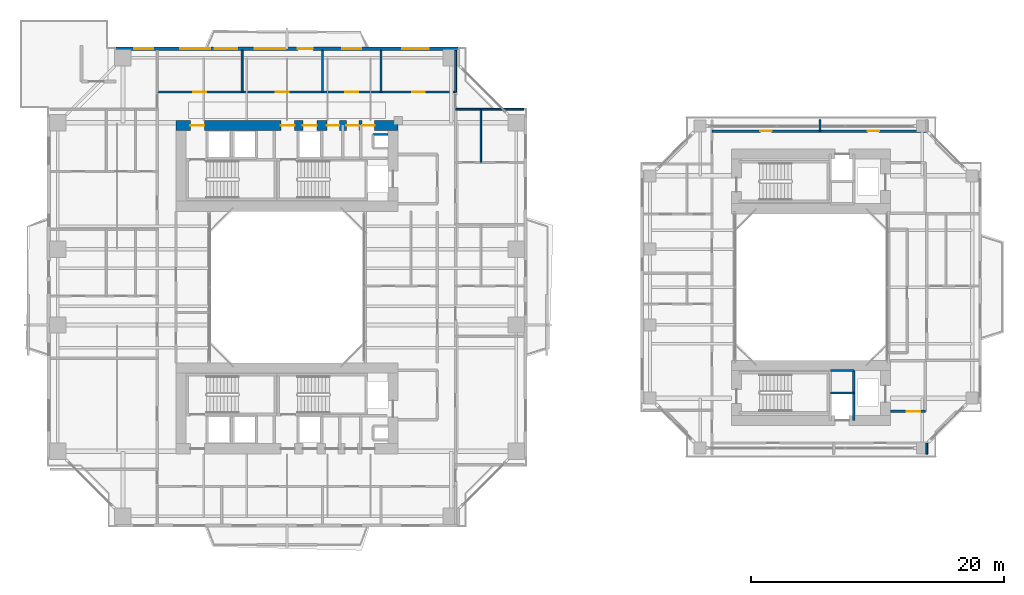
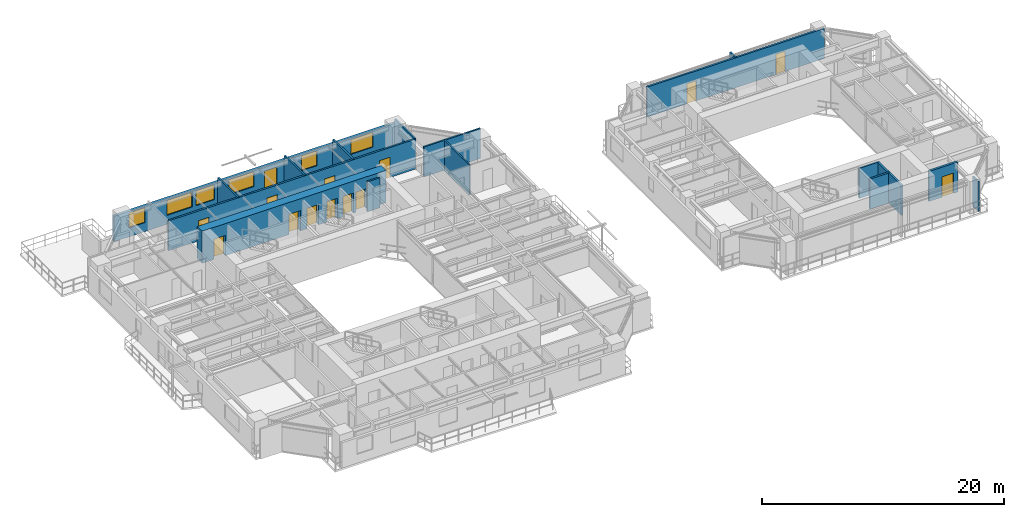
# One storey, part 17 of 24: 17 walls, 14 doors, 6 windows, 20 openings.
"""IFC4 building model written with IfcOpenShell, lengths in metres."""

from ifc_helpers import new_model, si_unit, direction, frame, frame_2d, origin, place, context, subcontext, project, spatial, rectangle, extrude, source, transform, mapped, material, layer, layer_set, type_object, element, fill, save


model = new_model("IFC4")

# Units and contexts
model_context = context("Model", 3, precision=1e-05, world=origin(), true_north=direction((0.0, 1.0)))
body_context = subcontext(model_context, "Body", "Model", "MODEL_VIEW")
ifc_project = project(units=[si_unit("LENGTHUNIT", "METRE"), si_unit("AREAUNIT", "SQUARE_METRE"), si_unit("VOLUMEUNIT", "CUBIC_METRE"), si_unit("PLANEANGLEUNIT", "RADIAN"), si_unit("MASSUNIT", "GRAM", prefix="KILO"), si_unit("THERMODYNAMICTEMPERATUREUNIT", "KELVIN"), si_unit("POWERUNIT", "WATT")], contexts=[model_context])

# Site, building, storey
site_placement = place(None, origin())
site = spatial("IfcSite", under=ifc_project, at=site_placement, CompositionType="ELEMENT")
building_placement = place(site_placement, origin())
building = spatial("IfcBuilding", under=site, at=building_placement, Name="Qiaomeng Ring Towers", CompositionType="ELEMENT")
storey_placement = place(building_placement, frame((0.0, 0.0, 42.5)))
storey = spatial("IfcBuildingStorey", under=building, at=storey_placement, Name="L11", CompositionType="ELEMENT", Elevation=42.5)

# Wall, openings, windows, door
ifc_material_1 = material(Name="Precast concrete C40", Category="concrete")
ifc_layer_1 = layer(ifc_material_1, 0.25, Name="Precast concrete C40")
ifc_layer_set_1 = layer_set([ifc_layer_1], Name="Precast concrete C40")
wall_type_1 = type_object("IfcWallType", Name="ARC-WL-EW1", PredefinedType="STANDARD", material=ifc_layer_set_1)
wall_1_placement = place(storey_placement, frame((5.449951171875, 41.875, 0.0), z_axis=(0.0, 0.0, 1.0), x_axis=(1.0, 0.0, 0.0)))
wall_1 = element("IfcWall", 1, at=wall_1_placement, inside=storey, type_object=wall_type_1, Name="L11 Tower 1 N Exterior Wall", PredefinedType="STANDARD", context=body_context, shape_type="SweptSolid", body=[
    extrude(rectangle(XDim=27.10009765625, YDim=0.25, at=frame_2d((13.550048828125, 0.0))), origin(), (0.0, 0.0, 1.0), 2.570068359375),
])
opening_1_placement = place(wall_1_placement, frame((14.39990234375, 0.0, 0.0)))
opening_1 = element("IfcOpeningElement", 2, at=opening_1_placement, cuts=wall_1, Name="Opening BD1", PredefinedType="OPENING", context=body_context, shape_type="SweptSolid", body=[
    extrude(rectangle(XDim=1.199951171875, YDim=2.10009765625, at=frame_2d((0.60009765625, 1.050048828125))), frame((0.0, 0.135009765625, 0.0), z_axis=(0.0, -1.0, 0.0), x_axis=(1.0, 0.0, 0.0)), (0.0, 0.0, 1.0), 0.27001953125),
])
opening_2_placement = place(wall_1_placement, frame((1.449951171875, 0.0, 0.89990234375)))
opening_2 = element("IfcOpeningElement", 3, at=opening_2_placement, cuts=wall_1, Name="Opening WN2", PredefinedType="OPENING", context=body_context, shape_type="SweptSolid", body=[
    extrude(rectangle(XDim=1.5, YDim=1.5, at=frame_2d((0.75, 0.75))), frame((0.0, 0.135009765625, 0.0), z_axis=(0.0, -1.0, 0.0), x_axis=(1.0, 0.0, 0.0)), (0.0, 0.0, 1.0), 0.27001953125),
])
opening_3_placement = place(wall_1_placement, frame((7.819580078125, 0.0, 0.89990234375)))
opening_3 = element("IfcOpeningElement", 4, at=opening_3_placement, cuts=wall_1, Name="Opening WN1", PredefinedType="OPENING", context=body_context, shape_type="SweptSolid", body=[
    extrude(rectangle(XDim=1.800048828125, YDim=1.5, at=frame_2d((0.89990234375, 0.75))), frame((0.0, 0.135009765625, 0.0), z_axis=(0.0, -1.0, 0.0), x_axis=(1.0, 0.0, 0.0)), (0.0, 0.0, 1.0), 0.27001953125),
])
opening_4_placement = place(wall_1_placement, frame((17.919921875, 0.0, 0.89990234375)))
opening_4 = element("IfcOpeningElement", 5, at=opening_4_placement, cuts=wall_1, Name="Opening WN2", PredefinedType="OPENING", context=body_context, shape_type="SweptSolid", body=[
    extrude(rectangle(XDim=1.5, YDim=1.5, at=frame_2d((0.75, 0.75))), frame((0.0, 0.135009765625, 0.0), z_axis=(0.0, -1.0, 0.0), x_axis=(1.0, 0.0, 0.0)), (0.0, 0.0, 1.0), 0.27001953125),
])
opening_5_placement = place(wall_1_placement, frame((22.6630859375, 0.0, 0.89990234375)))
opening_5 = element("IfcOpeningElement", 6, at=opening_5_placement, cuts=wall_1, Name="Opening WN4", PredefinedType="OPENING", context=body_context, shape_type="SweptSolid", body=[
    extrude(rectangle(XDim=2.10009765625, YDim=1.47998046875, at=frame_2d((1.050048828125, 0.739990234375))), frame((0.0, 0.135009765625, 0.0), z_axis=(0.0, -1.0, 0.0), x_axis=(1.0, 0.0, 0.0)), (0.0, 0.0, 1.0), 0.27001953125),
])
opening_6_placement = place(wall_1_placement, frame((5.083984375, 0.0, 0.89990234375)))
opening_6 = element("IfcOpeningElement", 7, at=opening_6_placement, cuts=wall_1, Name="Opening WN6", PredefinedType="OPENING", context=body_context, shape_type="SweptSolid", body=[
    extrude(rectangle(XDim=2.39990234375, YDim=1.5, at=frame_2d((1.199951171875, 0.75))), frame((0.0, 0.135009765625, 0.0), z_axis=(0.0, -1.0, 0.0), x_axis=(1.0, 0.0, 0.0)), (0.0, 0.0, 1.0), 0.27001953125),
])
opening_7_placement = place(wall_1_placement, frame((11.00244140625, 0.0, 0.89990234375)))
opening_7 = element("IfcOpeningElement", 8, at=opening_7_placement, cuts=wall_1, Name="Opening WN6", PredefinedType="OPENING", context=body_context, shape_type="SweptSolid", body=[
    extrude(rectangle(XDim=2.39990234375, YDim=1.5, at=frame_2d((1.199951171875, 0.75))), frame((0.0, 0.135009765625, 0.0), z_axis=(0.0, -1.0, 0.0), x_axis=(1.0, 0.0, 0.0)), (0.0, 0.0, 1.0), 0.27001953125),
])
ifc_material_2 = material(Name="Low-E dark-grey laminated double glazing", Category="glass")
window_type_1 = type_object("IfcWindowType", Name="ARC-WN-4", PartitioningType="TRIPLE_PANEL_VERTICAL", PredefinedType="WINDOW", material=ifc_material_2)
shared_shape_1 = source(origin(), body_context, "Body", "SweptSolid", [
    extrude(rectangle(XDim=2.10009765625, YDim=1.47998046875, at=frame_2d((1.050048828125, 0.739990234375))), frame((0.0, 0.030029296875, 0.0), z_axis=(0.0, -1.0, 0.0), x_axis=(1.0, 0.0, 0.0)), (0.0, 0.0, 1.0), 0.06005859375),
])
window_1_placement = place(opening_5_placement, origin())
window_1 = element("IfcWindow", 9, at=window_1_placement, inside=storey, type_object=window_type_1, Name="L11 Exterior Window WN4", OverallHeight=1.47998046875, OverallWidth=2.10009765625, PartitioningType="TRIPLE_PANEL_VERTICAL", PredefinedType="WINDOW", context=body_context, shape_type="MappedRepresentation", body=[
    mapped(shared_shape_1, transform((0.0, 0.0, 0.0), x_axis=(1.0, 0.0, 0.0), y_axis=(0.0, 1.0, 0.0), z_axis=(0.0, 0.0, 1.0), scale=1.0)),
])
fill(opening_5, window_1)
door_type_1 = type_object("IfcDoorType", Name="ARC-DR-BD1", OperationType="NOTDEFINED", PredefinedType="DOOR", material=ifc_material_2)
shared_shape_2 = source(origin(), body_context, "Body", "SweptSolid", [
    extrude(rectangle(XDim=1.199951171875, YDim=2.10009765625, at=frame_2d((0.60009765625, 1.050048828125))), frame((0.0, 0.02490234375, 0.0), z_axis=(0.0, -1.0, 0.0), x_axis=(1.0, 0.0, 0.0)), (0.0, 0.0, 1.0), 0.050048828125),
])
door_1_placement = place(opening_1_placement, origin())
door_1 = element("IfcDoor", 10, at=door_1_placement, inside=storey, type_object=door_type_1, Name="L11 N Balcony Glazed Door", OperationType="SINGLE_SWING_LEFT", OverallHeight=2.10009765625, OverallWidth=1.199951171875, PredefinedType="DOOR", context=body_context, shape_type="MappedRepresentation", body=[
    mapped(shared_shape_2, transform((0.0, 0.0, 0.0), x_axis=(1.0, 0.0, 0.0), y_axis=(0.0, 1.0, 0.0), z_axis=(0.0, 0.0, 1.0), scale=1.0)),
])
fill(opening_1, door_1)
window_type_2 = type_object("IfcWindowType", Name="ARC-WN-2", PartitioningType="DOUBLE_PANEL_VERTICAL", PredefinedType="WINDOW", material=ifc_material_2)
shared_shape_3 = source(origin(), body_context, "Body", "SweptSolid", [
    extrude(rectangle(XDim=1.5, YDim=1.5, at=frame_2d((0.75, 0.75))), frame((0.0, 0.030029296875, 0.0), z_axis=(0.0, -1.0, 0.0), x_axis=(1.0, 0.0, 0.0)), (0.0, 0.0, 1.0), 0.06005859375),
])
window_2_placement = place(opening_2_placement, origin())
window_2 = element("IfcWindow", 11, at=window_2_placement, inside=storey, type_object=window_type_2, Name="L11 Exterior Window WN6", OverallHeight=1.5, OverallWidth=1.5, PartitioningType="TRIPLE_PANEL_VERTICAL", PredefinedType="WINDOW", context=body_context, shape_type="MappedRepresentation", body=[
    mapped(shared_shape_3, transform((0.0, 0.0, 0.0), x_axis=(1.0, 0.0, 0.0), y_axis=(0.0, 1.0, 0.0), z_axis=(0.0, 0.0, 1.0), scale=1.0)),
])
fill(opening_2, window_2)
window_3_placement = place(opening_4_placement, origin())
window_3 = element("IfcWindow", 12, at=window_3_placement, inside=storey, type_object=window_type_2, Name="L11 Exterior Window WN2", OverallHeight=1.5, OverallWidth=1.5, PartitioningType="DOUBLE_PANEL_VERTICAL", PredefinedType="WINDOW", context=body_context, shape_type="MappedRepresentation", body=[
    mapped(shared_shape_3, transform((0.0, 0.0, 0.0), x_axis=(1.0, 0.0, 0.0), y_axis=(0.0, 1.0, 0.0), z_axis=(0.0, 0.0, 1.0), scale=1.0)),
])
fill(opening_4, window_3)
window_type_3 = type_object("IfcWindowType", Name="ARC-WN-6", PartitioningType="TRIPLE_PANEL_VERTICAL", PredefinedType="WINDOW", material=ifc_material_2)
shared_shape_4 = source(origin(), body_context, "Body", "SweptSolid", [
    extrude(rectangle(XDim=2.39990234375, YDim=1.5, at=frame_2d((1.199951171875, 0.75))), frame((0.0, 0.030029296875, 0.0), z_axis=(0.0, -1.0, 0.0), x_axis=(1.0, 0.0, 0.0)), (0.0, 0.0, 1.0), 0.06005859375),
])
window_4_placement = place(opening_6_placement, origin())
window_4 = element("IfcWindow", 13, at=window_4_placement, inside=storey, type_object=window_type_3, Name="L11 Exterior Window WN6", OverallHeight=1.5, OverallWidth=2.39990234375, PartitioningType="TRIPLE_PANEL_VERTICAL", PredefinedType="WINDOW", context=body_context, shape_type="MappedRepresentation", body=[
    mapped(shared_shape_4, transform((0.0, 0.0, 0.0), x_axis=(1.0, 0.0, 0.0), y_axis=(0.0, 1.0, 0.0), z_axis=(0.0, 0.0, 1.0), scale=1.0)),
])
fill(opening_6, window_4)
window_5_placement = place(opening_7_placement, origin())
window_5 = element("IfcWindow", 14, at=window_5_placement, inside=storey, type_object=window_type_3, Name="L11 Exterior Window WN6", OverallHeight=1.5, OverallWidth=2.39990234375, PartitioningType="TRIPLE_PANEL_VERTICAL", PredefinedType="WINDOW", context=body_context, shape_type="MappedRepresentation", body=[
    mapped(shared_shape_4, transform((0.0, 0.0, 0.0), x_axis=(1.0, 0.0, 0.0), y_axis=(0.0, 1.0, 0.0), z_axis=(0.0, 0.0, 1.0), scale=1.0)),
])
fill(opening_7, window_5)
window_type_4 = type_object("IfcWindowType", Name="ARC-WN-1", PartitioningType="DOUBLE_PANEL_VERTICAL", PredefinedType="WINDOW", material=ifc_material_2)
shared_shape_5 = source(origin(), body_context, "Body", "SweptSolid", [
    extrude(rectangle(XDim=1.800048828125, YDim=1.5, at=frame_2d((0.89990234375, 0.75))), frame((0.0, 0.030029296875, 0.0), z_axis=(0.0, -1.0, 0.0), x_axis=(1.0, 0.0, 0.0)), (0.0, 0.0, 1.0), 0.06005859375),
])
window_6_placement = place(opening_3_placement, origin())
window_6 = element("IfcWindow", 15, at=window_6_placement, inside=storey, type_object=window_type_4, Name="L11 Exterior Window WN1", OverallHeight=1.5, OverallWidth=1.800048828125, PartitioningType="DOUBLE_PANEL_VERTICAL", PredefinedType="WINDOW", context=body_context, shape_type="MappedRepresentation", body=[
    mapped(shared_shape_5, transform((0.0, 0.0, 0.0), x_axis=(1.0, 0.0, 0.0), y_axis=(0.0, 1.0, 0.0), z_axis=(0.0, 0.0, 1.0), scale=1.0)),
])
fill(opening_3, window_6)

# Wall, opening, door
ifc_material_3 = material(Name="Autoclaved aerated concrete block", Category="concrete")
ifc_layer_2 = layer(ifc_material_3, 0.199951171875, Name="Autoclaved aerated concrete block")
ifc_layer_set_2 = layer_set([ifc_layer_2], Name="Autoclaved aerated concrete block")
wall_type_2 = type_object("IfcWallType", Name="ARC-WL-PW1", PredefinedType="PARTITIONING", material=ifc_layer_set_2)
wall_2_placement = place(storey_placement, frame((66.800048828125, 13.14990234375, 0.0), z_axis=(0.0, 0.0, 1.0), x_axis=(1.0, 0.0, 0.0)))
wall_2 = element("IfcWall", 16, at=wall_2_placement, inside=storey, type_object=wall_type_2, Name="L11 Interior Wall PW1", PredefinedType="PARTITIONING", context=body_context, shape_type="SweptSolid", body=[
    extrude(rectangle(XDim=2.75, YDim=0.199951171875, at=frame_2d((1.375, 0.0))), origin(), (0.0, 0.0, 1.0), 3.030029296875),
])
opening_8_placement = place(wall_2_placement, frame((1.25, 0.0, 0.0)))
opening_8 = element("IfcOpeningElement", 17, at=opening_8_placement, cuts=wall_2, Name="Opening FD3", PredefinedType="OPENING", context=body_context, shape_type="SweptSolid", body=[
    extrude(rectangle(XDim=1.10009765625, YDim=2.050048828125, at=frame_2d((0.550048828125, 1.02490234375))), frame((0.0, 0.10986328125, 0.0), z_axis=(0.0, -1.0, 0.0), x_axis=(1.0, 0.0, 0.0)), (0.0, 0.0, 1.0), 0.219970703125),
])
ifc_material_4 = material(Name="Galvanised steel", Category="steel")
door_type_2 = type_object("IfcDoorType", Name="ARC-DR-FD3", OperationType="NOTDEFINED", PredefinedType="DOOR", material=ifc_material_4)
shared_shape_6 = source(origin(), body_context, "Body", "SweptSolid", [
    extrude(rectangle(XDim=1.10009765625, YDim=2.050048828125, at=frame_2d((0.550048828125, 1.02490234375))), frame((0.0, 0.02490234375, 0.0), z_axis=(0.0, -1.0, 0.0), x_axis=(1.0, 0.0, 0.0)), (0.0, 0.0, 1.0), 0.050048828125),
])
door_2_placement = place(opening_8_placement, origin())
door_2 = element("IfcDoor", 18, at=door_2_placement, inside=storey, type_object=door_type_2, Name="L11 Door FD3", OperationType="SINGLE_SWING_RIGHT", OverallHeight=2.050048828125, OverallWidth=1.10009765625, PredefinedType="DOOR", context=body_context, shape_type="MappedRepresentation", body=[
    mapped(shared_shape_6, transform((0.0, 0.0, 0.0), x_axis=(1.0, 0.0, 0.0), y_axis=(0.0, 1.0, 0.0), z_axis=(0.0, 0.0, 1.0), scale=1.0)),
])
fill(opening_8, door_2)

# Wall, openings, doors
ifc_layer_3 = layer(ifc_material_3, 0.179931640625, Name="Autoclaved aerated concrete block")
ifc_layer_set_3 = layer_set([ifc_layer_3], Name="Autoclaved aerated concrete block")
wall_type_3 = type_object("IfcWallType", Name="ARC-WL-PW2", PredefinedType="PARTITIONING", material=ifc_layer_set_3)
wall_3_placement = place(storey_placement, frame((8.719970703125, 38.43994140625, 0.0), z_axis=(0.0, 0.0, 1.0), x_axis=(1.0, 0.0, 0.0)))
wall_3 = element("IfcWall", 19, at=wall_3_placement, inside=storey, type_object=wall_type_3, Name="L11 Interior Wall PW2", PredefinedType="PARTITIONING", context=body_context, shape_type="SweptSolid", body=[
    extrude(rectangle(XDim=23.630126953125, YDim=0.179931640625, at=frame_2d((11.81494140625, 0.0))), origin(), (0.0, 0.0, 1.0), 3.030029296875),
])
opening_9_placement = place(wall_3_placement, frame((2.860107421875, 0.0, 0.0)))
opening_9 = element("IfcOpeningElement", 20, at=opening_9_placement, cuts=wall_3, Name="Opening FD4", PredefinedType="OPENING", context=body_context, shape_type="SweptSolid", body=[
    extrude(rectangle(XDim=1.0, YDim=2.050048828125, at=frame_2d((0.5, 1.02490234375))), frame((0.0, 0.099853515625, 0.0), z_axis=(0.0, -1.0, 0.0), x_axis=(1.0, 0.0, 0.0)), (0.0, 0.0, 1.0), 0.199951171875),
])
opening_10_placement = place(wall_3_placement, frame((9.39990234375, 0.0, 0.0)))
opening_10 = element("IfcOpeningElement", 21, at=opening_10_placement, cuts=wall_3, Name="Opening FD4", PredefinedType="OPENING", context=body_context, shape_type="SweptSolid", body=[
    extrude(rectangle(XDim=1.0, YDim=2.050048828125, at=frame_2d((0.5, 1.02490234375))), frame((0.0, 0.099853515625, 0.0), z_axis=(0.0, -1.0, 0.0), x_axis=(1.0, 0.0, 0.0)), (0.0, 0.0, 1.0), 0.199951171875),
])
opening_11_placement = place(wall_3_placement, frame((14.89990234375, 0.0, 0.0)))
opening_11 = element("IfcOpeningElement", 22, at=opening_11_placement, cuts=wall_3, Name="Opening FD4", PredefinedType="OPENING", context=body_context, shape_type="SweptSolid", body=[
    extrude(rectangle(XDim=1.0, YDim=2.050048828125, at=frame_2d((0.5, 1.02490234375))), frame((0.0, 0.099853515625, 0.0), z_axis=(0.0, -1.0, 0.0), x_axis=(1.0, 0.0, 0.0)), (0.0, 0.0, 1.0), 0.199951171875),
])
opening_12_placement = place(wall_3_placement, frame((20.175048828125, 0.0, 0.0)))
opening_12 = element("IfcOpeningElement", 23, at=opening_12_placement, cuts=wall_3, Name="Opening FD4", PredefinedType="OPENING", context=body_context, shape_type="SweptSolid", body=[
    extrude(rectangle(XDim=1.0, YDim=2.050048828125, at=frame_2d((0.5, 1.02490234375))), frame((0.0, 0.099853515625, 0.0), z_axis=(0.0, -1.0, 0.0), x_axis=(1.0, 0.0, 0.0)), (0.0, 0.0, 1.0), 0.199951171875),
])
ifc_material_5 = material(Name="Engineered fire-rated oak timber", Category="wood")
door_type_3 = type_object("IfcDoorType", Name="ARC-DR-FD4", OperationType="NOTDEFINED", PredefinedType="DOOR", material=ifc_material_5)
shared_shape_7 = source(origin(), body_context, "Body", "SweptSolid", [
    extrude(rectangle(XDim=1.0, YDim=2.050048828125, at=frame_2d((0.5, 1.02490234375))), frame((0.0, 0.02490234375, 0.0), z_axis=(0.0, -1.0, 0.0), x_axis=(1.0, 0.0, 0.0)), (0.0, 0.0, 1.0), 0.050048828125),
])
door_3_placement = place(opening_9_placement, origin())
door_3 = element("IfcDoor", 24, at=door_3_placement, inside=storey, type_object=door_type_3, Name="L11 Door FD4", OperationType="SINGLE_SWING_LEFT", OverallHeight=2.050048828125, OverallWidth=1.0, PredefinedType="DOOR", context=body_context, shape_type="MappedRepresentation", body=[
    mapped(shared_shape_7, transform((0.0, 0.0, 0.0), x_axis=(1.0, 0.0, 0.0), y_axis=(0.0, 1.0, 0.0), z_axis=(0.0, 0.0, 1.0), scale=1.0)),
])
fill(opening_9, door_3)
door_4_placement = place(opening_10_placement, origin())
door_4 = element("IfcDoor", 25, at=door_4_placement, inside=storey, type_object=door_type_3, Name="L11 Door FD4", OperationType="SINGLE_SWING_RIGHT", OverallHeight=2.050048828125, OverallWidth=1.0, PredefinedType="DOOR", context=body_context, shape_type="MappedRepresentation", body=[
    mapped(shared_shape_7, transform((0.0, 0.0, 0.0), x_axis=(1.0, 0.0, 0.0), y_axis=(0.0, 1.0, 0.0), z_axis=(0.0, 0.0, 1.0), scale=1.0)),
])
fill(opening_10, door_4)
door_5_placement = place(opening_11_placement, origin())
door_5 = element("IfcDoor", 26, at=door_5_placement, inside=storey, type_object=door_type_3, Name="L11 Door FD4", OperationType="SINGLE_SWING_LEFT", OverallHeight=2.050048828125, OverallWidth=1.0, PredefinedType="DOOR", context=body_context, shape_type="MappedRepresentation", body=[
    mapped(shared_shape_7, transform((0.0, 0.0, 0.0), x_axis=(1.0, 0.0, 0.0), y_axis=(0.0, 1.0, 0.0), z_axis=(0.0, 0.0, 1.0), scale=1.0)),
])
fill(opening_11, door_5)
door_6_placement = place(opening_12_placement, origin())
door_6 = element("IfcDoor", 27, at=door_6_placement, inside=storey, type_object=door_type_3, Name="L11 Door FD4", OperationType="SINGLE_SWING_RIGHT", OverallHeight=2.050048828125, OverallWidth=1.0, PredefinedType="DOOR", context=body_context, shape_type="MappedRepresentation", body=[
    mapped(shared_shape_7, transform((0.0, 0.0, 0.0), x_axis=(1.0, 0.0, 0.0), y_axis=(0.0, 1.0, 0.0), z_axis=(0.0, 0.0, 1.0), scale=1.0)),
])
fill(opening_12, door_6)

wall_4_placement = place(storey_placement, frame((52.64990234375, 35.35009765625, 0.0), z_axis=(0.0, 0.0, 1.0), x_axis=(1.0, 0.0, 0.0)))
wall_4 = element("IfcWall", 28, at=wall_4_placement, inside=storey, type_object=wall_type_3, Name="L11 Interior Wall PW2", PredefinedType="PARTITIONING", context=body_context, shape_type="SweptSolid", body=[
    extrude(rectangle(XDim=17.0, YDim=0.179931640625, at=frame_2d((8.5, 0.0))), origin(), (0.0, 0.0, 1.0), 3.030029296875),
])
opening_13_placement = place(wall_4_placement, frame((3.824951171875, 0.0, 0.0)))
opening_13 = element("IfcOpeningElement", 29, at=opening_13_placement, cuts=wall_4, Name="Opening ID1", PredefinedType="OPENING", context=body_context, shape_type="SweptSolid", body=[
    extrude(rectangle(XDim=0.89990234375, YDim=2.050048828125, at=frame_2d((0.449951171875, 1.02490234375))), frame((0.0, 0.099853515625, 0.0), z_axis=(0.0, -1.0, 0.0), x_axis=(1.0, 0.0, 0.0)), (0.0, 0.0, 1.0), 0.199951171875),
])
opening_14_placement = place(wall_4_placement, frame((12.324951171875, 0.0, 0.0)))
opening_14 = element("IfcOpeningElement", 30, at=opening_14_placement, cuts=wall_4, Name="Opening ID1", PredefinedType="OPENING", context=body_context, shape_type="SweptSolid", body=[
    extrude(rectangle(XDim=0.89990234375, YDim=2.050048828125, at=frame_2d((0.449951171875, 1.02490234375))), frame((0.0, 0.099853515625, 0.0), z_axis=(0.0, -1.0, 0.0), x_axis=(1.0, 0.0, 0.0)), (0.0, 0.0, 1.0), 0.199951171875),
])
ifc_material_6 = material(Name="Engineered oak timber", Category="wood")
door_type_4 = type_object("IfcDoorType", Name="ARC-DR-ID1", OperationType="NOTDEFINED", PredefinedType="DOOR", material=ifc_material_6)
shared_shape_8 = source(origin(), body_context, "Body", "SweptSolid", [
    extrude(rectangle(XDim=0.89990234375, YDim=2.050048828125, at=frame_2d((0.449951171875, 1.02490234375))), frame((0.0, 0.02490234375, 0.0), z_axis=(0.0, -1.0, 0.0), x_axis=(1.0, 0.0, 0.0)), (0.0, 0.0, 1.0), 0.050048828125),
])
door_7_placement = place(opening_13_placement, origin())
door_7 = element("IfcDoor", 31, at=door_7_placement, inside=storey, type_object=door_type_4, Name="L11 Door ID1", OperationType="SINGLE_SWING_RIGHT", OverallHeight=2.050048828125, OverallWidth=0.89990234375, PredefinedType="DOOR", context=body_context, shape_type="MappedRepresentation", body=[
    mapped(shared_shape_8, transform((0.0, 0.0, 0.0), x_axis=(1.0, 0.0, 0.0), y_axis=(0.0, 1.0, 0.0), z_axis=(0.0, 0.0, 1.0), scale=1.0)),
])
fill(opening_13, door_7)
door_8_placement = place(opening_14_placement, origin())
door_8 = element("IfcDoor", 32, at=door_8_placement, inside=storey, type_object=door_type_4, Name="L11 Door ID1", OperationType="SINGLE_SWING_LEFT", OverallHeight=2.050048828125, OverallWidth=0.89990234375, PredefinedType="DOOR", context=body_context, shape_type="MappedRepresentation", body=[
    mapped(shared_shape_8, transform((0.0, 0.0, 0.0), x_axis=(1.0, 0.0, 0.0), y_axis=(0.0, 1.0, 0.0), z_axis=(0.0, 0.0, 1.0), scale=1.0)),
])
fill(opening_14, door_8)

# Walls
ifc_material_7 = material(Name="Gypsum fireboard steel-stud partition", Category="steel")
ifc_layer_4 = layer(ifc_material_7, 0.14990234375, Name="Gypsum fireboard steel-stud partition")
ifc_layer_set_4 = layer_set([ifc_layer_4], Name="Gypsum fireboard steel-stud partition")
wall_type_4 = type_object("IfcWallType", Name="ARC-WL-PW3", PredefinedType="PARTITIONING", material=ifc_layer_set_4)
for number, where, z_axis, x_axis, name in (
    (33, (15.43994140625, 38.43994140625, 0.0), (0.0, 0.0, 1.0), (0.0, 1.0, 0.0), "L11 Interior Wall PW3"),
    (34, (21.800048828125, 38.43994140625, 0.0), (0.0, 0.0, 1.0), (0.0, 1.0, 0.0), "L11 Interior Wall PW3"),
    (35, (26.43994140625, 38.43994140625, 0.0), (0.0, 0.0, 1.0), (0.0, 1.0, 0.0), "L11 Interior Wall PW3"),
    (36, (32.35009765625, 38.43994140625, 0.0), (0.0, 0.0, 1.0), (0.0, 1.0, 0.0), "L11 Interior Wall PW3"),
):
    element("IfcWall", number, at=place(storey_placement, frame(where, z_axis=z_axis, x_axis=x_axis)), inside=storey, type_object=wall_type_4, Name=name, PredefinedType="PARTITIONING", context=body_context, shape_type="SweptSolid", body=[
        extrude(rectangle(XDim=3.31005859375, YDim=0.14990234375, at=frame_2d((1.655029296875, 0.0))), origin(), (0.0, 0.0, 1.0), 3.030029296875),
    ])
wall_5_placement = place(storey_placement, frame((32.35009765625, 37.080078125, 0.0), z_axis=(0.0, 0.0, 1.0), x_axis=(1.0, 0.0, 0.0)))
element("IfcWall", 37, at=wall_5_placement, inside=storey, type_object=wall_type_4, Name="L11 Interior Wall PW3", PredefinedType="PARTITIONING", context=body_context, shape_type="SweptSolid", body=[
    extrude(rectangle(XDim=5.39990234375, YDim=0.14990234375, at=frame_2d((2.699951171875, 0.0))), origin(), (0.0, 0.0, 1.0), 3.030029296875),
])
for number, where, z_axis, x_axis, name in (
    (38, (61.199951171875, 35.35009765625, 0.0), (0.0, 0.0, 1.0), (0.0, 1.0, 0.0), "L11 Interior Wall PW3"),
    (39, (69.64990234375, 9.75, 0.0), (0.0, 0.0, 1.0), (0.0, 1.0, 0.0), "L11 Interior Wall PW3"),
):
    element("IfcWall", number, at=place(storey_placement, frame(where, z_axis=z_axis, x_axis=x_axis)), inside=storey, type_object=wall_type_4, Name=name, PredefinedType="PARTITIONING", context=body_context, shape_type="SweptSolid", body=[
        extrude(rectangle(XDim=0.89990234375, YDim=0.14990234375, at=frame_2d((0.449951171875, 0.0))), origin(), (0.0, 0.0, 1.0), 3.030029296875),
    ])
ifc_material_8 = material(Name="Moisture-resistant gypsum steel-stud partition", Category="steel")
ifc_layer_5 = layer(ifc_material_8, 0.1201171875, Name="Moisture-resistant gypsum steel-stud partition")
ifc_layer_set_5 = layer_set([ifc_layer_5], Name="Moisture-resistant gypsum steel-stud partition")
wall_type_5 = type_object("IfcWallType", Name="ARC-WL-PW4", PredefinedType="PLUMBINGWALL", material=ifc_layer_set_5)
wall_6_placement = place(storey_placement, frame((34.35009765625, 32.8701171875, 0.0), z_axis=(0.0, 0.0, 1.0), x_axis=(0.0, 1.0, 0.0)))
element("IfcWall", 40, at=wall_6_placement, inside=storey, type_object=wall_type_5, Name="L11 Interior Wall PW4", PredefinedType="PLUMBINGWALL", context=body_context, shape_type="SweptSolid", body=[
    extrude(rectangle(XDim=4.2099609375, YDim=0.1201171875, at=frame_2d((2.10498046875, 0.0))), origin(), (0.0, 0.0, 1.0), 3.030029296875),
])
ifc_material_9 = material(Name="Concrete C40", Category="concrete")
ifc_layer_6 = layer(ifc_material_9, 0.199951171875, Name="Concrete C40")
ifc_layer_set_6 = layer_set([ifc_layer_6], Name="Concrete C40")
wall_type_6 = type_object("IfcWallType", Name="STR-WL-STSHAFT", PredefinedType="SHEAR", material=ifc_layer_set_6)
wall_7_placement = place(storey_placement, frame((25.800048828125, 35.080078125, 0.0), z_axis=(0.0, 0.0, 1.0), x_axis=(1.0, 0.0, 0.0)))
element("IfcWall", 41, at=wall_7_placement, inside=storey, type_object=wall_type_6, Name="L11 Riser RSR1 North Shaft Wall N", PredefinedType="SHEAR", context=body_context, shape_type="SweptSolid", body=[
    extrude(rectangle(XDim=1.199951171875, YDim=0.179931640625, at=frame_2d((0.60009765625, 0.0))), origin(), (0.0, 0.0, 1.0), 3.030029296875),
])
wall_8_placement = place(storey_placement, frame((63.8798828125, 12.449951171875, 0.0), z_axis=(0.0, 0.0, 1.0), x_axis=(0.0, 1.0, 0.0)))
element("IfcWall", 42, at=wall_8_placement, inside=storey, type_object=wall_type_6, Name="L11 Companion Lift Shaft East Wall S", PredefinedType="SHEAR", context=body_context, shape_type="SweptSolid", body=[
    extrude(rectangle(XDim=3.949951171875, YDim=0.179931640625, at=frame_2d((1.97509765625, 0.0))), origin(), (0.0, 0.0, 1.0), 3.030029296875),
])
for number, where, z_axis, x_axis, name in (
    (43, (62.02001953125, 14.6201171875, 0.0), (0.0, 0.0, 1.0), (1.0, 0.0, 0.0), "L11 Companion Lift Shaft Divider Wall S"),
    (44, (62.02001953125, 16.39990234375, 0.0), (0.0, 0.0, 1.0), (1.0, 0.0, 0.0), "L11 Companion Riser Shaft Back Wall S"),
):
    element("IfcWall", number, at=place(storey_placement, frame(where, z_axis=z_axis, x_axis=x_axis)), inside=storey, type_object=wall_type_6, Name=name, PredefinedType="SHEAR", context=body_context, shape_type="SweptSolid", body=[
        extrude(rectangle(XDim=1.85986328125, YDim=0.179931640625, at=frame_2d((0.929931640625, 0.0))), origin(), (0.0, 0.0, 1.0), 3.030029296875),
    ])

# Wall, openings, doors
ifc_material_10 = material(Name="Concrete C60", Category="concrete")
ifc_layer_7 = layer(ifc_material_10, 0.800048828125, Name="Concrete C60")
ifc_layer_set_7 = layer_set([ifc_layer_7], Name="Concrete C60")
wall_type_7 = type_object("IfcWallType", Name="STR-WL-SW1", PredefinedType="SHEAR", material=ifc_layer_set_7)
wall_9_placement = place(storey_placement, frame((10.199951171875, 35.800048828125, 0.0), z_axis=(0.0, 0.0, 1.0), x_axis=(1.0, 0.0, 0.0)))
wall_9 = element("IfcWall", 45, at=wall_9_placement, inside=storey, type_object=wall_type_7, Name="L11 T1NC north core shear wall", PredefinedType="SHEAR", context=body_context, shape_type="SweptSolid", body=[
    extrude(rectangle(XDim=17.60009765625, YDim=0.800048828125, at=frame_2d((8.800048828125, 0.0))), origin(), (0.0, 0.0, 1.0), 3.25),
])
opening_15_placement = place(wall_9_placement, frame((1.14990234375, 0.0, 0.0)))
opening_15 = element("IfcOpeningElement", 46, at=opening_15_placement, cuts=wall_9, Name="Opening FD3", PredefinedType="OPENING", context=body_context, shape_type="SweptSolid", body=[
    extrude(rectangle(XDim=1.10009765625, YDim=2.050048828125, at=frame_2d((0.550048828125, 1.02490234375))), frame((0.0, 0.409912109375, 0.0), z_axis=(0.0, -1.0, 0.0), x_axis=(1.0, 0.0, 0.0)), (0.0, 0.0, 1.0), 0.820068359375),
])
opening_16_placement = place(wall_9_placement, frame((8.300048828125, 0.0, 0.0)))
opening_16 = element("IfcOpeningElement", 47, at=opening_16_placement, cuts=wall_9, Name="Opening FD3", PredefinedType="OPENING", context=body_context, shape_type="SweptSolid", body=[
    extrude(rectangle(XDim=1.10009765625, YDim=2.050048828125, at=frame_2d((0.550048828125, 1.02490234375))), frame((0.0, 0.409912109375, 0.0), z_axis=(0.0, -1.0, 0.0), x_axis=(1.0, 0.0, 0.0)), (0.0, 0.0, 1.0), 0.820068359375),
])
opening_17_placement = place(wall_9_placement, frame((10.050048828125, 0.0, 0.0)))
opening_17 = element("IfcOpeningElement", 48, at=opening_17_placement, cuts=wall_9, Name="Opening LD1", PredefinedType="OPENING", context=body_context, shape_type="SweptSolid", body=[
    extrude(rectangle(XDim=1.10009765625, YDim=2.050048828125, at=frame_2d((0.550048828125, 1.02490234375))), frame((0.0, 0.409912109375, 0.0), z_axis=(0.0, -1.0, 0.0), x_axis=(1.0, 0.0, 0.0)), (0.0, 0.0, 1.0), 0.820068359375),
])
opening_18_placement = place(wall_9_placement, frame((14.739990234375, 0.0, 0.0)))
opening_18 = element("IfcOpeningElement", 49, at=opening_18_placement, cuts=wall_9, Name="Opening FD1", PredefinedType="OPENING", context=body_context, shape_type="SweptSolid", body=[
    extrude(rectangle(XDim=1.0, YDim=2.050048828125, at=frame_2d((0.5, 1.02490234375))), frame((0.0, 0.409912109375, 0.0), z_axis=(0.0, -1.0, 0.0), x_axis=(1.0, 0.0, 0.0)), (0.0, 0.0, 1.0), 0.820068359375),
])
opening_19_placement = place(wall_9_placement, frame((11.949951171875, 0.0, 0.0)))
opening_19 = element("IfcOpeningElement", 50, at=opening_19_placement, cuts=wall_9, Name="Opening FD1", PredefinedType="OPENING", context=body_context, shape_type="SweptSolid", body=[
    extrude(rectangle(XDim=1.0, YDim=2.050048828125, at=frame_2d((0.5, 1.02490234375))), frame((0.0, 0.409912109375, 0.0), z_axis=(0.0, -1.0, 0.0), x_axis=(1.0, 0.0, 0.0)), (0.0, 0.0, 1.0), 0.820068359375),
])
opening_20_placement = place(wall_9_placement, frame((13.485107421875, 0.0, 0.0)))
opening_20 = element("IfcOpeningElement", 51, at=opening_20_placement, cuts=wall_9, Name="Opening FD1", PredefinedType="OPENING", context=body_context, shape_type="SweptSolid", body=[
    extrude(rectangle(XDim=1.0, YDim=2.050048828125, at=frame_2d((0.5, 1.02490234375))), frame((0.0, 0.409912109375, 0.0), z_axis=(0.0, -1.0, 0.0), x_axis=(1.0, 0.0, 0.0)), (0.0, 0.0, 1.0), 0.820068359375),
])
door_9_placement = place(opening_15_placement, origin())
door_9 = element("IfcDoor", 52, at=door_9_placement, inside=storey, type_object=door_type_2, Name="L11 Stair ST1 Lobby Door", OperationType="SINGLE_SWING_LEFT", OverallHeight=2.050048828125, OverallWidth=1.10009765625, PredefinedType="DOOR", context=body_context, shape_type="MappedRepresentation", body=[
    mapped(shared_shape_6, transform((0.0, 0.0, 0.0), x_axis=(1.0, 0.0, 0.0), y_axis=(0.0, 1.0, 0.0), z_axis=(0.0, 0.0, 1.0), scale=1.0)),
])
fill(opening_15, door_9)
door_10_placement = place(opening_16_placement, origin())
door_10 = element("IfcDoor", 53, at=door_10_placement, inside=storey, type_object=door_type_2, Name="L11 Stair ST2 Lobby Door", OperationType="SINGLE_SWING_LEFT", OverallHeight=2.050048828125, OverallWidth=1.10009765625, PredefinedType="DOOR", context=body_context, shape_type="MappedRepresentation", body=[
    mapped(shared_shape_6, transform((0.0, 0.0, 0.0), x_axis=(1.0, 0.0, 0.0), y_axis=(0.0, 1.0, 0.0), z_axis=(0.0, 0.0, 1.0), scale=1.0)),
])
fill(opening_16, door_10)
ifc_material_11 = material(Name="Stainless steel 316", Category="steel")
door_type_5 = type_object("IfcDoorType", Name="ARC-DR-LD1", OperationType="NOTDEFINED", PredefinedType="DOOR", material=ifc_material_11)
door_11_placement = place(opening_17_placement, origin())
door_11 = element("IfcDoor", 54, at=door_11_placement, inside=storey, type_object=door_type_5, Name="L11 Low-Zone Lift LP1 Landing Door", OperationType="SLIDING_TO_LEFT", OverallHeight=2.050048828125, OverallWidth=1.10009765625, PredefinedType="DOOR", context=body_context, shape_type="MappedRepresentation", body=[
    mapped(shared_shape_6, transform((0.0, 0.0, 0.0), x_axis=(1.0, 0.0, 0.0), y_axis=(0.0, 1.0, 0.0), z_axis=(0.0, 0.0, 1.0), scale=1.0)),
])
fill(opening_17, door_11)
door_type_6 = type_object("IfcDoorType", Name="ARC-DR-FD1", OperationType="NOTDEFINED", PredefinedType="DOOR", material=ifc_material_4)
door_12_placement = place(opening_18_placement, origin())
door_12 = element("IfcDoor", 55, at=door_12_placement, inside=storey, type_object=door_type_6, Name="L11 North Electrical Riser Door", OperationType="SINGLE_SWING_LEFT", OverallHeight=2.050048828125, OverallWidth=1.0, PredefinedType="DOOR", context=body_context, shape_type="MappedRepresentation", body=[
    mapped(shared_shape_7, transform((0.0, 0.0, 0.0), x_axis=(1.0, 0.0, 0.0), y_axis=(0.0, 1.0, 0.0), z_axis=(0.0, 0.0, 1.0), scale=1.0)),
])
fill(opening_18, door_12)
door_13_placement = place(opening_19_placement, origin())
door_13 = element("IfcDoor", 56, at=door_13_placement, inside=storey, type_object=door_type_6, Name="L11 North Tea Pantry Door", OperationType="SINGLE_SWING_LEFT", OverallHeight=2.050048828125, OverallWidth=1.0, PredefinedType="DOOR", context=body_context, shape_type="MappedRepresentation", body=[
    mapped(shared_shape_7, transform((0.0, 0.0, 0.0), x_axis=(1.0, 0.0, 0.0), y_axis=(0.0, 1.0, 0.0), z_axis=(0.0, 0.0, 1.0), scale=1.0)),
])
fill(opening_19, door_13)
door_14_placement = place(opening_20_placement, origin())
door_14 = element("IfcDoor", 57, at=door_14_placement, inside=storey, type_object=door_type_6, Name="L11 North Cleaners Cupboard Door", OperationType="SINGLE_SWING_RIGHT", OverallHeight=2.050048828125, OverallWidth=1.0, PredefinedType="DOOR", context=body_context, shape_type="MappedRepresentation", body=[
    mapped(shared_shape_7, transform((0.0, 0.0, 0.0), x_axis=(1.0, 0.0, 0.0), y_axis=(0.0, 1.0, 0.0), z_axis=(0.0, 0.0, 1.0), scale=1.0)),
])
fill(opening_20, door_14)

save(model, "model.ifc")
